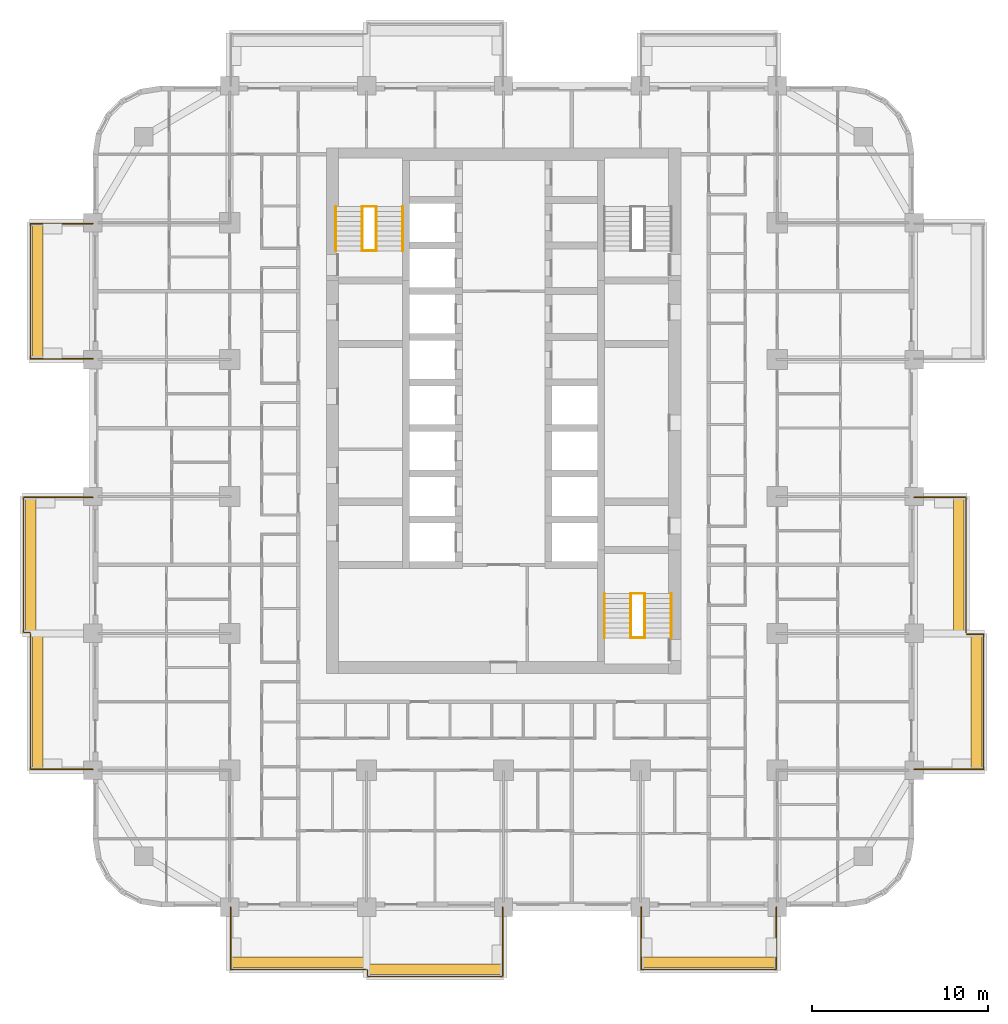
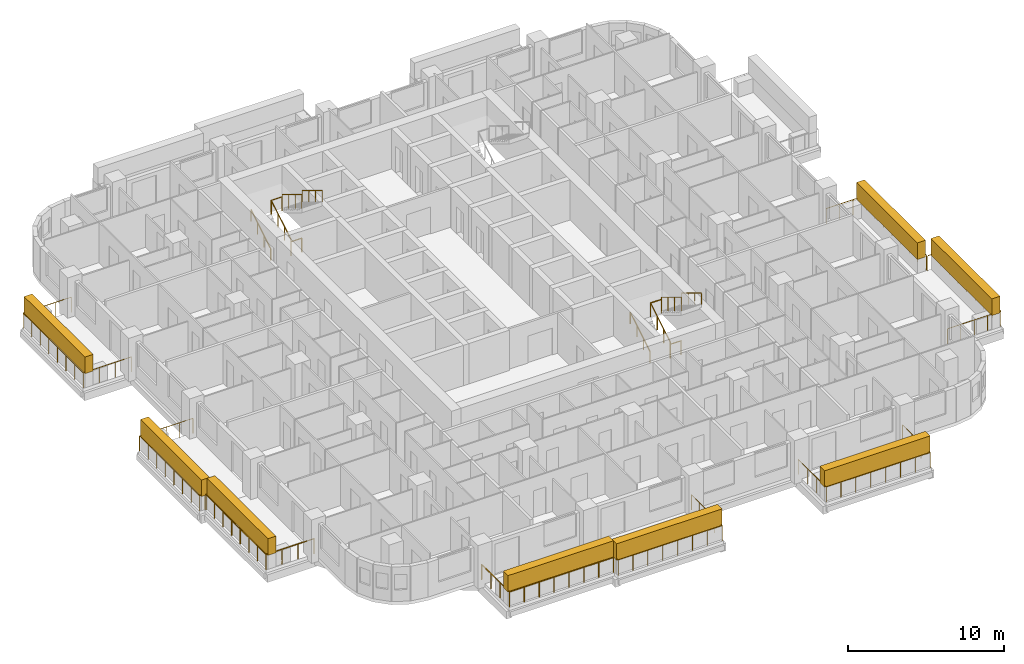
# One storey, part 16 of 17: 20 railings, 8 coverings, 2 elements without a shape of their own.
"""IFC4 building model written with IfcOpenShell, lengths in metres."""

from ifc_helpers import new_model, si_unit, direction, frame, origin, origin_2d, place, context, subcontext, project, spatial, rectangle, circle, extrude, material, layer, layer_set, type_object, element, aggregate, save


model = new_model("IFC4")

# Units and contexts
model_context = context("Model", 3, precision=1e-05, world=origin(), true_north=direction((0.0, 1.0)))
body_context = subcontext(model_context, "Body", "Model", "MODEL_VIEW")
ifc_project = project(units=[si_unit("LENGTHUNIT", "METRE"), si_unit("AREAUNIT", "SQUARE_METRE"), si_unit("VOLUMEUNIT", "CUBIC_METRE"), si_unit("PLANEANGLEUNIT", "RADIAN"), si_unit("MASSUNIT", "GRAM", prefix="KILO")], contexts=[model_context])

# Site, building, storey
site_placement = place(None, origin())
site = spatial("IfcSite", under=ifc_project, at=site_placement, CompositionType="ELEMENT")
building_placement = place(site_placement, origin())
building = spatial("IfcBuilding", under=site, at=building_placement, Name="Ludao Terraces", CompositionType="ELEMENT")
storey_placement = place(building_placement, frame((0.0, 0.0, 19.5)))
storey = spatial("IfcBuildingStorey", under=building, at=storey_placement, Name="L04", CompositionType="ELEMENT", Elevation=19.5)

# Railings
ifc_material_1 = material(Name="Stainless steel 304", Category="steel")
railing_type_1 = type_object("IfcRailingType", Name="ENV Balcony glass guard 1200", PredefinedType="GUARDRAIL", material=ifc_material_1)
railing_1_placement = place(storey_placement, frame((69.449951171875, 41.60009765625, 0.0)))
element("IfcRailing", 1, at=railing_1_placement, inside=storey, type_object=railing_type_1, Name="Balcony guard L04 S1", PredefinedType="GUARDRAIL", context=body_context, shape_type="SweptSolid", body=[
    extrude(circle(Radius=0.02392578125, at=origin_2d()), frame((0.0, 0.0, 1.17578125), z_axis=(0.0, -1.0, 0.0), x_axis=(1.0, 0.0, 0.0)), (0.0, 0.0, 1.0), 3.550048828125),
    extrude(circle(Radius=0.02392578125, at=origin_2d()), frame((0.0, -3.550048828125, 1.17578125), z_axis=(1.0, 0.0, 0.0), x_axis=(0.0, 1.0, 0.0)), (0.0, 0.0, 1.0), 7.699951171875),
    extrude(circle(Radius=0.02099609375, at=origin_2d()), origin(), (0.0, 0.0, 1.0), 1.15185546875),
    extrude(circle(Radius=0.02099609375, at=origin_2d()), frame((0.0, -1.183349609375, 0.0)), (0.0, 0.0, 1.0), 1.15185546875),
    extrude(circle(Radius=0.02099609375, at=origin_2d()), frame((0.0, -2.36669921875, 0.0)), (0.0, 0.0, 1.0), 1.15185546875),
    extrude(circle(Radius=0.02099609375, at=origin_2d()), frame((0.0, -3.550048828125, 0.0)), (0.0, 0.0, 1.0), 1.15185546875),
    extrude(circle(Radius=0.02099609375, at=origin_2d()), frame((1.10009765625, -3.550048828125, 0.0)), (0.0, 0.0, 1.0), 1.15185546875),
    extrude(circle(Radius=0.02099609375, at=origin_2d()), frame((2.199951171875, -3.550048828125, 0.0)), (0.0, 0.0, 1.0), 1.15185546875),
    extrude(circle(Radius=0.02099609375, at=origin_2d()), frame((3.300048828125, -3.550048828125, 0.0)), (0.0, 0.0, 1.0), 1.15185546875),
    extrude(circle(Radius=0.02099609375, at=origin_2d()), frame((4.39990234375, -3.550048828125, 0.0)), (0.0, 0.0, 1.0), 1.15185546875),
    extrude(circle(Radius=0.02099609375, at=origin_2d()), frame((5.5, -3.550048828125, 0.0)), (0.0, 0.0, 1.0), 1.15185546875),
    extrude(circle(Radius=0.02099609375, at=origin_2d()), frame((6.599853515625, -3.550048828125, 0.0)), (0.0, 0.0, 1.0), 1.15185546875),
    extrude(circle(Radius=0.02099609375, at=origin_2d()), frame((7.699951171875, -3.550048828125, 0.0)), (0.0, 0.0, 1.0), 1.15185546875),
])
railing_2_placement = place(storey_placement, frame((77.25, 38.0, 0.0)))
element("IfcRailing", 2, at=railing_2_placement, inside=storey, type_object=railing_type_1, Name="Balcony guard L04 S2", PredefinedType="GUARDRAIL", context=body_context, shape_type="SweptSolid", body=[
    extrude(circle(Radius=0.02392578125, at=origin_2d()), frame((0.0, 0.0, 1.17578125), z_axis=(0.0, -1.0, 0.0), x_axis=(1.0, 0.0, 0.0)), (0.0, 0.0, 1.0), 0.35009765625),
    extrude(circle(Radius=0.02392578125, at=origin_2d()), frame((0.0, -0.35009765625, 1.17578125), z_axis=(1.0, 0.0, 0.0), x_axis=(0.0, 1.0, 0.0)), (0.0, 0.0, 1.0), 7.699951171875),
    extrude(circle(Radius=0.02392578125, at=origin_2d()), frame((7.699951171875, -0.35009765625, 1.17578125), z_axis=(0.0, 1.0, 0.0), x_axis=(-1.0, 0.0, 0.0)), (0.0, 0.0, 1.0), 3.9501953125),
    extrude(circle(Radius=0.02099609375, at=origin_2d()), origin(), (0.0, 0.0, 1.0), 1.15185546875),
    extrude(circle(Radius=0.02099609375, at=origin_2d()), frame((0.0, -0.35009765625, 0.0)), (0.0, 0.0, 1.0), 1.15185546875),
    extrude(circle(Radius=0.02099609375, at=origin_2d()), frame((1.10009765625, -0.35009765625, 0.0)), (0.0, 0.0, 1.0), 1.15185546875),
    extrude(circle(Radius=0.02099609375, at=origin_2d()), frame((2.199951171875, -0.35009765625, 0.0)), (0.0, 0.0, 1.0), 1.15185546875),
    extrude(circle(Radius=0.02099609375, at=origin_2d()), frame((3.300048828125, -0.35009765625, 0.0)), (0.0, 0.0, 1.0), 1.15185546875),
    extrude(circle(Radius=0.02099609375, at=origin_2d()), frame((4.39990234375, -0.35009765625, 0.0)), (0.0, 0.0, 1.0), 1.15185546875),
    extrude(circle(Radius=0.02099609375, at=origin_2d()), frame((5.5, -0.35009765625, 0.0)), (0.0, 0.0, 1.0), 1.15185546875),
    extrude(circle(Radius=0.02099609375, at=origin_2d()), frame((6.599853515625, -0.35009765625, 0.0)), (0.0, 0.0, 1.0), 1.15185546875),
    extrude(circle(Radius=0.02099609375, at=origin_2d()), frame((7.699951171875, -0.35009765625, 0.0)), (0.0, 0.0, 1.0), 1.15185546875),
    extrude(circle(Radius=0.02099609375, at=origin_2d()), frame((7.699951171875, 0.637451171875, 0.0)), (0.0, 0.0, 1.0), 1.15185546875),
    extrude(circle(Radius=0.02099609375, at=origin_2d()), frame((7.699951171875, 1.625, 0.0)), (0.0, 0.0, 1.0), 1.15185546875),
    extrude(circle(Radius=0.02099609375, at=origin_2d()), frame((7.699951171875, 2.612548828125, 0.0)), (0.0, 0.0, 1.0), 1.15185546875),
    extrude(circle(Radius=0.02099609375, at=origin_2d()), frame((7.699951171875, 3.60009765625, 0.0)), (0.0, 0.0, 1.0), 1.15185546875),
])
railing_3_placement = place(storey_placement, frame((92.85009765625, 41.60009765625, 0.0)))
element("IfcRailing", 3, at=railing_3_placement, inside=storey, type_object=railing_type_1, Name="Balcony guard L04 S4", PredefinedType="GUARDRAIL", context=body_context, shape_type="SweptSolid", body=[
    extrude(circle(Radius=0.02392578125, at=origin_2d()), frame((0.0, 0.0, 1.17578125), z_axis=(0.0, -1.0, 0.0), x_axis=(1.0, 0.0, 0.0)), (0.0, 0.0, 1.0), 3.550048828125),
    extrude(circle(Radius=0.02392578125, at=origin_2d()), frame((0.0, -3.550048828125, 1.17578125), z_axis=(1.0, 0.0, 0.0), x_axis=(0.0, 1.0, 0.0)), (0.0, 0.0, 1.0), 7.699951171875),
    extrude(circle(Radius=0.02392578125, at=origin_2d()), frame((7.699951171875, -3.550048828125, 1.17578125), z_axis=(0.0, 1.0, 0.0), x_axis=(-1.0, 0.0, 0.0)), (0.0, 0.0, 1.0), 3.550048828125),
    extrude(circle(Radius=0.02099609375, at=origin_2d()), origin(), (0.0, 0.0, 1.0), 1.15185546875),
    extrude(circle(Radius=0.02099609375, at=origin_2d()), frame((0.0, -1.183349609375, 0.0)), (0.0, 0.0, 1.0), 1.15185546875),
    extrude(circle(Radius=0.02099609375, at=origin_2d()), frame((0.0, -2.36669921875, 0.0)), (0.0, 0.0, 1.0), 1.15185546875),
    extrude(circle(Radius=0.02099609375, at=origin_2d()), frame((0.0, -3.550048828125, 0.0)), (0.0, 0.0, 1.0), 1.15185546875),
    extrude(circle(Radius=0.02099609375, at=origin_2d()), frame((1.10009765625, -3.550048828125, 0.0)), (0.0, 0.0, 1.0), 1.15185546875),
    extrude(circle(Radius=0.02099609375, at=origin_2d()), frame((2.199951171875, -3.550048828125, 0.0)), (0.0, 0.0, 1.0), 1.15185546875),
    extrude(circle(Radius=0.02099609375, at=origin_2d()), frame((3.300048828125, -3.550048828125, 0.0)), (0.0, 0.0, 1.0), 1.15185546875),
    extrude(circle(Radius=0.02099609375, at=origin_2d()), frame((4.39990234375, -3.550048828125, 0.0)), (0.0, 0.0, 1.0), 1.15185546875),
    extrude(circle(Radius=0.02099609375, at=origin_2d()), frame((5.5, -3.550048828125, 0.0)), (0.0, 0.0, 1.0), 1.15185546875),
    extrude(circle(Radius=0.02099609375, at=origin_2d()), frame((6.599853515625, -3.550048828125, 0.0)), (0.0, 0.0, 1.0), 1.15185546875),
    extrude(circle(Radius=0.02099609375, at=origin_2d()), frame((7.699951171875, -3.550048828125, 0.0)), (0.0, 0.0, 1.0), 1.15185546875),
    extrude(circle(Radius=0.02099609375, at=origin_2d()), frame((7.699951171875, -2.36669921875, 0.0)), (0.0, 0.0, 1.0), 1.15185546875),
    extrude(circle(Radius=0.02099609375, at=origin_2d()), frame((7.699951171875, -1.183349609375, 0.0)), (0.0, 0.0, 1.0), 1.15185546875),
    extrude(circle(Radius=0.02099609375, at=origin_2d()), frame((7.699951171875, 0.0, 0.0)), (0.0, 0.0, 1.0), 1.15185546875),
])
railing_4_placement = place(storey_placement, frame((108.39990234375, 49.449951171875, 0.0)))
element("IfcRailing", 4, at=railing_4_placement, inside=storey, type_object=railing_type_1, Name="Balcony guard L04 E1", PredefinedType="GUARDRAIL", context=body_context, shape_type="SweptSolid", body=[
    extrude(circle(Radius=0.02392578125, at=origin_2d()), frame((0.0, 0.0, 1.17578125), z_axis=(1.0, 0.0, 0.0), x_axis=(0.0, 1.0, 0.0)), (0.0, 0.0, 1.0), 3.9501953125),
    extrude(circle(Radius=0.02392578125, at=origin_2d()), frame((3.9501953125, 0.0, 1.17578125), z_axis=(0.0, 1.0, 0.0), x_axis=(-1.0, 0.0, 0.0)), (0.0, 0.0, 1.0), 7.699951171875),
    extrude(circle(Radius=0.02392578125, at=origin_2d()), frame((3.9501953125, 7.699951171875, 1.17578125), z_axis=(-1.0, 0.0, 0.0), x_axis=(0.0, -1.0, 0.0)), (0.0, 0.0, 1.0), 0.9501953125),
    extrude(circle(Radius=0.02099609375, at=origin_2d()), origin(), (0.0, 0.0, 1.0), 1.15185546875),
    extrude(circle(Radius=0.02099609375, at=origin_2d()), frame((0.987548828125, 0.0, 0.0)), (0.0, 0.0, 1.0), 1.15185546875),
    extrude(circle(Radius=0.02099609375, at=origin_2d()), frame((1.97509765625, 0.0, 0.0)), (0.0, 0.0, 1.0), 1.15185546875),
    extrude(circle(Radius=0.02099609375, at=origin_2d()), frame((2.962646484375, 0.0, 0.0)), (0.0, 0.0, 1.0), 1.15185546875),
    extrude(circle(Radius=0.02099609375, at=origin_2d()), frame((3.9501953125, 0.0, 0.0)), (0.0, 0.0, 1.0), 1.15185546875),
    extrude(circle(Radius=0.02099609375, at=origin_2d()), frame((3.9501953125, 1.10009765625, 0.0)), (0.0, 0.0, 1.0), 1.15185546875),
    extrude(circle(Radius=0.02099609375, at=origin_2d()), frame((3.9501953125, 2.199951171875, 0.0)), (0.0, 0.0, 1.0), 1.15185546875),
    extrude(circle(Radius=0.02099609375, at=origin_2d()), frame((3.9501953125, 3.300048828125, 0.0)), (0.0, 0.0, 1.0), 1.15185546875),
    extrude(circle(Radius=0.02099609375, at=origin_2d()), frame((3.9501953125, 4.39990234375, 0.0)), (0.0, 0.0, 1.0), 1.15185546875),
    extrude(circle(Radius=0.02099609375, at=origin_2d()), frame((3.9501953125, 5.5, 0.0)), (0.0, 0.0, 1.0), 1.15185546875),
    extrude(circle(Radius=0.02099609375, at=origin_2d()), frame((3.9501953125, 6.599853515625, 0.0)), (0.0, 0.0, 1.0), 1.15185546875),
    extrude(circle(Radius=0.02099609375, at=origin_2d()), frame((3.9501953125, 7.699951171875, 0.0)), (0.0, 0.0, 1.0), 1.15185546875),
    extrude(circle(Radius=0.02099609375, at=origin_2d()), frame((3.0, 7.699951171875, 0.0)), (0.0, 0.0, 1.0), 1.15185546875),
])
railing_5_placement = place(storey_placement, frame((111.35009765625, 57.25, 0.0)))
element("IfcRailing", 5, at=railing_5_placement, inside=storey, type_object=railing_type_1, Name="Balcony guard L04 E2", PredefinedType="GUARDRAIL", context=body_context, shape_type="SweptSolid", body=[
    extrude(circle(Radius=0.02392578125, at=origin_2d()), frame((0.0, 0.0, 1.17578125), z_axis=(0.0, 1.0, 0.0), x_axis=(-1.0, 0.0, 0.0)), (0.0, 0.0, 1.0), 7.699951171875),
    extrude(circle(Radius=0.02392578125, at=origin_2d()), frame((0.0, 7.699951171875, 1.17578125), z_axis=(-1.0, 0.0, 0.0), x_axis=(0.0, -1.0, 0.0)), (0.0, 0.0, 1.0), 2.9501953125),
    extrude(circle(Radius=0.02099609375, at=origin_2d()), origin(), (0.0, 0.0, 1.0), 1.15185546875),
    extrude(circle(Radius=0.02099609375, at=origin_2d()), frame((0.0, 1.10009765625, 0.0)), (0.0, 0.0, 1.0), 1.15185546875),
    extrude(circle(Radius=0.02099609375, at=origin_2d()), frame((0.0, 2.199951171875, 0.0)), (0.0, 0.0, 1.0), 1.15185546875),
    extrude(circle(Radius=0.02099609375, at=origin_2d()), frame((0.0, 3.300048828125, 0.0)), (0.0, 0.0, 1.0), 1.15185546875),
    extrude(circle(Radius=0.02099609375, at=origin_2d()), frame((0.0, 4.39990234375, 0.0)), (0.0, 0.0, 1.0), 1.15185546875),
    extrude(circle(Radius=0.02099609375, at=origin_2d()), frame((0.0, 5.5, 0.0)), (0.0, 0.0, 1.0), 1.15185546875),
    extrude(circle(Radius=0.02099609375, at=origin_2d()), frame((0.0, 6.599853515625, 0.0)), (0.0, 0.0, 1.0), 1.15185546875),
    extrude(circle(Radius=0.02099609375, at=origin_2d()), frame((0.0, 7.699951171875, 0.0)), (0.0, 0.0, 1.0), 1.15185546875),
    extrude(circle(Radius=0.02099609375, at=origin_2d()), frame((-0.9833984375, 7.699951171875, 0.0)), (0.0, 0.0, 1.0), 1.15185546875),
    extrude(circle(Radius=0.02099609375, at=origin_2d()), frame((-1.966796875, 7.699951171875, 0.0)), (0.0, 0.0, 1.0), 1.15185546875),
    extrude(circle(Radius=0.02099609375, at=origin_2d()), frame((-2.9501953125, 7.699951171875, 0.0)), (0.0, 0.0, 1.0), 1.15185546875),
])
railing_6_placement = place(storey_placement, frame((61.60009765625, 49.449951171875, 0.0)))
element("IfcRailing", 6, at=railing_6_placement, inside=storey, type_object=railing_type_1, Name="Balcony guard L04 W1", PredefinedType="GUARDRAIL", context=body_context, shape_type="SweptSolid", body=[
    extrude(circle(Radius=0.02392578125, at=origin_2d()), frame((0.0, 0.0, 1.17578125), z_axis=(-1.0, 0.0, 0.0), x_axis=(0.0, -1.0, 0.0)), (0.0, 0.0, 1.0), 3.550048828125),
    extrude(circle(Radius=0.02392578125, at=origin_2d()), frame((-3.550048828125, 0.0, 1.17578125), z_axis=(0.0, 1.0, 0.0), x_axis=(-1.0, 0.0, 0.0)), (0.0, 0.0, 1.0), 7.699951171875),
    extrude(circle(Radius=0.02099609375, at=origin_2d()), origin(), (0.0, 0.0, 1.0), 1.15185546875),
    extrude(circle(Radius=0.02099609375, at=origin_2d()), frame((-1.183349609375, 0.0, 0.0)), (0.0, 0.0, 1.0), 1.15185546875),
    extrude(circle(Radius=0.02099609375, at=origin_2d()), frame((-2.36669921875, 0.0, 0.0)), (0.0, 0.0, 1.0), 1.15185546875),
    extrude(circle(Radius=0.02099609375, at=origin_2d()), frame((-3.550048828125, 0.0, 0.0)), (0.0, 0.0, 1.0), 1.15185546875),
    extrude(circle(Radius=0.02099609375, at=origin_2d()), frame((-3.550048828125, 1.10009765625, 0.0)), (0.0, 0.0, 1.0), 1.15185546875),
    extrude(circle(Radius=0.02099609375, at=origin_2d()), frame((-3.550048828125, 2.199951171875, 0.0)), (0.0, 0.0, 1.0), 1.15185546875),
    extrude(circle(Radius=0.02099609375, at=origin_2d()), frame((-3.550048828125, 3.300048828125, 0.0)), (0.0, 0.0, 1.0), 1.15185546875),
    extrude(circle(Radius=0.02099609375, at=origin_2d()), frame((-3.550048828125, 4.39990234375, 0.0)), (0.0, 0.0, 1.0), 1.15185546875),
    extrude(circle(Radius=0.02099609375, at=origin_2d()), frame((-3.550048828125, 5.5, 0.0)), (0.0, 0.0, 1.0), 1.15185546875),
    extrude(circle(Radius=0.02099609375, at=origin_2d()), frame((-3.550048828125, 6.599853515625, 0.0)), (0.0, 0.0, 1.0), 1.15185546875),
    extrude(circle(Radius=0.02099609375, at=origin_2d()), frame((-3.550048828125, 7.699951171875, 0.0)), (0.0, 0.0, 1.0), 1.15185546875),
])
railing_7_placement = place(storey_placement, frame((58.0, 57.25, 0.0)))
element("IfcRailing", 7, at=railing_7_placement, inside=storey, type_object=railing_type_1, Name="Balcony guard L04 W2", PredefinedType="GUARDRAIL", context=body_context, shape_type="SweptSolid", body=[
    extrude(circle(Radius=0.02392578125, at=origin_2d()), frame((0.0, 0.0, 1.17578125), z_axis=(-1.0, 0.0, 0.0), x_axis=(0.0, -1.0, 0.0)), (0.0, 0.0, 1.0), 0.35009765625),
    extrude(circle(Radius=0.02392578125, at=origin_2d()), frame((-0.35009765625, 0.0, 1.17578125), z_axis=(0.0, 1.0, 0.0), x_axis=(-1.0, 0.0, 0.0)), (0.0, 0.0, 1.0), 7.699951171875),
    extrude(circle(Radius=0.02392578125, at=origin_2d()), frame((-0.35009765625, 7.699951171875, 1.17578125), z_axis=(1.0, 0.0, 0.0), x_axis=(0.0, 1.0, 0.0)), (0.0, 0.0, 1.0), 3.9501953125),
    extrude(circle(Radius=0.02099609375, at=origin_2d()), origin(), (0.0, 0.0, 1.0), 1.15185546875),
    extrude(circle(Radius=0.02099609375, at=origin_2d()), frame((-0.35009765625, 0.0, 0.0)), (0.0, 0.0, 1.0), 1.15185546875),
    extrude(circle(Radius=0.02099609375, at=origin_2d()), frame((-0.35009765625, 1.10009765625, 0.0)), (0.0, 0.0, 1.0), 1.15185546875),
    extrude(circle(Radius=0.02099609375, at=origin_2d()), frame((-0.35009765625, 2.199951171875, 0.0)), (0.0, 0.0, 1.0), 1.15185546875),
    extrude(circle(Radius=0.02099609375, at=origin_2d()), frame((-0.35009765625, 3.300048828125, 0.0)), (0.0, 0.0, 1.0), 1.15185546875),
    extrude(circle(Radius=0.02099609375, at=origin_2d()), frame((-0.35009765625, 4.39990234375, 0.0)), (0.0, 0.0, 1.0), 1.15185546875),
    extrude(circle(Radius=0.02099609375, at=origin_2d()), frame((-0.35009765625, 5.5, 0.0)), (0.0, 0.0, 1.0), 1.15185546875),
    extrude(circle(Radius=0.02099609375, at=origin_2d()), frame((-0.35009765625, 6.599853515625, 0.0)), (0.0, 0.0, 1.0), 1.15185546875),
    extrude(circle(Radius=0.02099609375, at=origin_2d()), frame((-0.35009765625, 7.699951171875, 0.0)), (0.0, 0.0, 1.0), 1.15185546875),
    extrude(circle(Radius=0.02099609375, at=origin_2d()), frame((0.637451171875, 7.699951171875, 0.0)), (0.0, 0.0, 1.0), 1.15185546875),
    extrude(circle(Radius=0.02099609375, at=origin_2d()), frame((1.625, 7.699951171875, 0.0)), (0.0, 0.0, 1.0), 1.15185546875),
    extrude(circle(Radius=0.02099609375, at=origin_2d()), frame((2.612548828125, 7.699951171875, 0.0)), (0.0, 0.0, 1.0), 1.15185546875),
    extrude(circle(Radius=0.02099609375, at=origin_2d()), frame((3.60009765625, 7.699951171875, 0.0)), (0.0, 0.0, 1.0), 1.15185546875),
])
railing_8_placement = place(storey_placement, frame((61.60009765625, 72.85009765625, 0.0)))
element("IfcRailing", 8, at=railing_8_placement, inside=storey, type_object=railing_type_1, Name="Balcony guard L04 W4", PredefinedType="GUARDRAIL", context=body_context, shape_type="SweptSolid", body=[
    extrude(circle(Radius=0.02392578125, at=origin_2d()), frame((0.0, 0.0, 1.17578125), z_axis=(-1.0, 0.0, 0.0), x_axis=(0.0, -1.0, 0.0)), (0.0, 0.0, 1.0), 3.550048828125),
    extrude(circle(Radius=0.02392578125, at=origin_2d()), frame((-3.550048828125, 0.0, 1.17578125), z_axis=(0.0, 1.0, 0.0), x_axis=(-1.0, 0.0, 0.0)), (0.0, 0.0, 1.0), 7.699951171875),
    extrude(circle(Radius=0.02392578125, at=origin_2d()), frame((-3.550048828125, 7.699951171875, 1.17578125), z_axis=(1.0, 0.0, 0.0), x_axis=(0.0, 1.0, 0.0)), (0.0, 0.0, 1.0), 3.550048828125),
    extrude(circle(Radius=0.02099609375, at=origin_2d()), origin(), (0.0, 0.0, 1.0), 1.15185546875),
    extrude(circle(Radius=0.02099609375, at=origin_2d()), frame((-1.183349609375, 0.0, 0.0)), (0.0, 0.0, 1.0), 1.15185546875),
    extrude(circle(Radius=0.02099609375, at=origin_2d()), frame((-2.36669921875, 0.0, 0.0)), (0.0, 0.0, 1.0), 1.15185546875),
    extrude(circle(Radius=0.02099609375, at=origin_2d()), frame((-3.550048828125, 0.0, 0.0)), (0.0, 0.0, 1.0), 1.15185546875),
    extrude(circle(Radius=0.02099609375, at=origin_2d()), frame((-3.550048828125, 1.10009765625, 0.0)), (0.0, 0.0, 1.0), 1.15185546875),
    extrude(circle(Radius=0.02099609375, at=origin_2d()), frame((-3.550048828125, 2.199951171875, 0.0)), (0.0, 0.0, 1.0), 1.15185546875),
    extrude(circle(Radius=0.02099609375, at=origin_2d()), frame((-3.550048828125, 3.300048828125, 0.0)), (0.0, 0.0, 1.0), 1.15185546875),
    extrude(circle(Radius=0.02099609375, at=origin_2d()), frame((-3.550048828125, 4.39990234375, 0.0)), (0.0, 0.0, 1.0), 1.15185546875),
    extrude(circle(Radius=0.02099609375, at=origin_2d()), frame((-3.550048828125, 5.5, 0.0)), (0.0, 0.0, 1.0), 1.15185546875),
    extrude(circle(Radius=0.02099609375, at=origin_2d()), frame((-3.550048828125, 6.599853515625, 0.0)), (0.0, 0.0, 1.0), 1.15185546875),
    extrude(circle(Radius=0.02099609375, at=origin_2d()), frame((-3.550048828125, 7.699951171875, 0.0)), (0.0, 0.0, 1.0), 1.15185546875),
    extrude(circle(Radius=0.02099609375, at=origin_2d()), frame((-2.36669921875, 7.699951171875, 0.0)), (0.0, 0.0, 1.0), 1.15185546875),
    extrude(circle(Radius=0.02099609375, at=origin_2d()), frame((-1.183349609375, 7.699951171875, 0.0)), (0.0, 0.0, 1.0), 1.15185546875),
    extrude(circle(Radius=0.02099609375, at=origin_2d()), frame((0.0, 7.699951171875, 0.0)), (0.0, 0.0, 1.0), 1.15185546875),
])

# Coverings
ifc_material_2 = material(Name="Planting")
ifc_layer = layer(ifc_material_2, 0.60009765625)
ifc_layer_set = layer_set([ifc_layer], Name="ENV Planting hedge 600x1300")
covering_type = type_object("IfcCoveringType", Name="ENV Planting hedge 600x1300", PredefinedType="USERDEFINED", material=ifc_layer_set)
for number, where, z_axis, x_axis, name in (
    (9, (73.300048828125, 38.449951171875, 1.10009765625), (0.0, 0.0, 1.0), (1.0, 0.0, 0.0), "Planting hedge L04-S1"),
    (10, (81.10009765625, 38.050048828125, 1.10009765625), (0.0, 0.0, 1.0), (1.0, 0.0, 0.0), "Planting hedge L04-S2"),
    (11, (96.699951171875, 38.449951171875, 1.10009765625), (0.0, 0.0, 1.0), (1.0, 0.0, 0.0), "Planting hedge L04-S4"),
):
    element("IfcCovering", number, at=place(storey_placement, frame(where, z_axis=z_axis, x_axis=x_axis)), inside=storey, type_object=covering_type, Name=name, ObjectType="PLANTING", PredefinedType="USERDEFINED", context=body_context, shape_type="SweptSolid", body=[
        extrude(rectangle(XDim=7.800048828125, YDim=0.60009765625, at=origin_2d()), origin(), (0.0, 0.0, 1.0), 1.300048828125),
    ])
for number, where, z_axis, x_axis, name in (
    (12, (111.949951171875, 53.300048828125, 1.10009765625), (0.0, 0.0, 1.0), (1.0, 0.0, 0.0), "Planting hedge L04-E1"),
    (13, (110.949951171875, 61.10009765625, 1.10009765625), (0.0, 0.0, 1.0), (1.0, 0.0, 0.0), "Planting hedge L04-E2"),
    (14, (58.449951171875, 53.300048828125, 1.10009765625), (0.0, 0.0, 1.0), (1.0, 0.0, 0.0), "Planting hedge L04-W1"),
    (15, (58.050048828125, 61.10009765625, 1.10009765625), (0.0, 0.0, 1.0), (1.0, 0.0, 0.0), "Planting hedge L04-W2"),
    (16, (58.449951171875, 76.699951171875, 1.10009765625), (0.0, 0.0, 1.0), (1.0, 0.0, 0.0), "Planting hedge L04-W4"),
):
    element("IfcCovering", number, at=place(storey_placement, frame(where, z_axis=z_axis, x_axis=x_axis)), inside=storey, type_object=covering_type, Name=name, ObjectType="PLANTING", PredefinedType="USERDEFINED", context=body_context, shape_type="SweptSolid", body=[
        extrude(rectangle(XDim=0.60009765625, YDim=7.800048828125, at=origin_2d()), origin(), (0.0, 0.0, 1.0), 1.300048828125),
    ])

# Stair, railings
ifc_material_3 = material(Name="Concrete C40", Category="concrete")
stair_type = type_object("IfcStairType", Name="INT Stair", PredefinedType="HALF_TURN_STAIR", material=ifc_material_3)
stair_1_placement = place(storey_placement, origin())
stair_1 = element("IfcStair", 17, at=stair_1_placement, inside=storey, type_object=stair_type, Name="EXIT STAIR 1", PredefinedType="HALF_TURN_STAIR")
railing_type_2 = type_object("IfcRailingType", Name="INT Stair guard 1100", PredefinedType="GUARDRAIL", material=ifc_material_1)
railing_9_placement = place(storey_placement, frame((76.949951171875, 79.0, 0.169921875)))
railing_9 = element("IfcRailing", 18, at=railing_9_placement, type_object=railing_type_2, Name="ST-L04-S1-R1G", PredefinedType="GUARDRAIL", context=body_context, shape_type="SweptSolid", body=[
    extrude(circle(Radius=0.02392578125, at=origin_2d()), frame((0.0, 0.0, 1.076171875), z_axis=(0.0, 0.85478489116, 0.518982456201), x_axis=(-1.0, 0.0, 0.0)), (0.0, 0.0, 1.0), 2.9482421875),
    extrude(circle(Radius=0.02099609375, at=origin_2d()), origin(), (0.0, 0.0, 1.0), 1.052001953125),
    extrude(circle(Radius=0.02099609375, at=origin_2d()), frame((0.0, 0.840087890625, 0.510009765625)), (0.0, 0.0, 1.0), 1.052001953125),
    extrude(circle(Radius=0.02099609375, at=origin_2d()), frame((0.0, 1.679931640625, 1.02001953125)), (0.0, 0.0, 1.0), 1.052001953125),
    extrude(circle(Radius=0.02099609375, at=origin_2d()), frame((0.0, 2.52001953125, 1.530029296875)), (0.0, 0.0, 1.0), 1.052001953125),
])
railing_10_placement = place(storey_placement, frame((77.75, 81.52001953125, 1.8701171875)))
railing_10 = element("IfcRailing", 19, at=railing_10_placement, type_object=railing_type_2, Name="ST-L04-S1-R2G", PredefinedType="GUARDRAIL", context=body_context, shape_type="SweptSolid", body=[
    extrude(circle(Radius=0.02392578125, at=origin_2d()), frame((0.0, 0.0, 1.076171875), z_axis=(0.0, -0.854821627497, 0.518921945155), x_axis=(1.0, 0.0, 0.0)), (0.0, 0.0, 1.0), 2.947998046875),
    extrude(circle(Radius=0.02099609375, at=origin_2d()), origin(), (0.0, 0.0, 1.0), 1.052001953125),
    extrude(circle(Radius=0.02099609375, at=origin_2d()), frame((0.0, -0.840087890625, 0.510009765625)), (0.0, 0.0, 1.0), 1.052001953125),
    extrude(circle(Radius=0.02099609375, at=origin_2d()), frame((0.0, -1.679931640625, 1.019775390625)), (0.0, 0.0, 1.0), 1.052001953125),
    extrude(circle(Radius=0.02099609375, at=origin_2d()), frame((0.0, -2.52001953125, 1.52978515625)), (0.0, 0.0, 1.0), 1.052001953125),
])
railing_11_placement = place(storey_placement, frame((76.949951171875, 81.52001953125, 1.699951171875)))
railing_11 = element("IfcRailing", 20, at=railing_11_placement, type_object=railing_type_2, Name="ST-L04-S1-E1G", PredefinedType="GUARDRAIL", context=body_context, shape_type="SweptSolid", body=[
    extrude(circle(Radius=0.02392578125, at=origin_2d()), frame((0.0, 0.0, 1.076171875), z_axis=(1.0, 0.0, 0.0), x_axis=(0.0, 1.0, 0.0)), (0.0, 0.0, 1.0), 0.800048828125),
    extrude(circle(Radius=0.02099609375, at=origin_2d()), origin(), (0.0, 0.0, 1.0), 1.052001953125),
    extrude(circle(Radius=0.02099609375, at=origin_2d()), frame((0.800048828125, 0.0, 0.0)), (0.0, 0.0, 1.0), 1.052001953125),
])
railing_12_placement = place(storey_placement, frame((76.949951171875, 79.0, 0.0)))
railing_12 = element("IfcRailing", 21, at=railing_12_placement, type_object=railing_type_2, Name="ST-L04-S1-E2G", PredefinedType="GUARDRAIL", context=body_context, shape_type="SweptSolid", body=[
    extrude(circle(Radius=0.02392578125, at=origin_2d()), frame((0.0, 0.0, 1.076171875), z_axis=(1.0, 0.0, 0.0), x_axis=(0.0, 1.0, 0.0)), (0.0, 0.0, 1.0), 0.800048828125),
    extrude(circle(Radius=0.02099609375, at=origin_2d()), origin(), (0.0, 0.0, 1.0), 1.052001953125),
    extrude(circle(Radius=0.02099609375, at=origin_2d()), frame((0.800048828125, 0.0, 0.0)), (0.0, 0.0, 1.0), 1.052001953125),
])

stair_2_placement = place(storey_placement, origin())
stair_2 = element("IfcStair", 22, at=stair_2_placement, inside=storey, type_object=stair_type, Name="EXIT STAIR 3", PredefinedType="HALF_TURN_STAIR")
railing_13_placement = place(storey_placement, frame((92.25, 56.949951171875, 0.169921875)))
railing_13 = element("IfcRailing", 23, at=railing_13_placement, type_object=railing_type_2, Name="ST-L04-S3-R1G", PredefinedType="GUARDRAIL", context=body_context, shape_type="SweptSolid", body=[
    extrude(circle(Radius=0.02392578125, at=origin_2d()), frame((0.0, 0.0, 1.076171875), z_axis=(0.0, 0.85478489116, 0.518982456201), x_axis=(-1.0, 0.0, 0.0)), (0.0, 0.0, 1.0), 2.9482421875),
    extrude(circle(Radius=0.02099609375, at=origin_2d()), origin(), (0.0, 0.0, 1.0), 1.052001953125),
    extrude(circle(Radius=0.02099609375, at=origin_2d()), frame((0.0, 0.840087890625, 0.510009765625)), (0.0, 0.0, 1.0), 1.052001953125),
    extrude(circle(Radius=0.02099609375, at=origin_2d()), frame((0.0, 1.679931640625, 1.02001953125)), (0.0, 0.0, 1.0), 1.052001953125),
    extrude(circle(Radius=0.02099609375, at=origin_2d()), frame((0.0, 2.52001953125, 1.530029296875)), (0.0, 0.0, 1.0), 1.052001953125),
])
railing_14_placement = place(storey_placement, frame((93.050048828125, 59.469970703125, 1.8701171875)))
railing_14 = element("IfcRailing", 24, at=railing_14_placement, type_object=railing_type_2, Name="ST-L04-S3-R2G", PredefinedType="GUARDRAIL", context=body_context, shape_type="SweptSolid", body=[
    extrude(circle(Radius=0.02392578125, at=origin_2d()), frame((0.0, 0.0, 1.076171875), z_axis=(0.0, -0.854821627497, 0.518921945155), x_axis=(1.0, 0.0, 0.0)), (0.0, 0.0, 1.0), 2.947998046875),
    extrude(circle(Radius=0.02099609375, at=origin_2d()), origin(), (0.0, 0.0, 1.0), 1.052001953125),
    extrude(circle(Radius=0.02099609375, at=origin_2d()), frame((0.0, -0.840087890625, 0.510009765625)), (0.0, 0.0, 1.0), 1.052001953125),
    extrude(circle(Radius=0.02099609375, at=origin_2d()), frame((0.0, -1.679931640625, 1.019775390625)), (0.0, 0.0, 1.0), 1.052001953125),
    extrude(circle(Radius=0.02099609375, at=origin_2d()), frame((0.0, -2.52001953125, 1.52978515625)), (0.0, 0.0, 1.0), 1.052001953125),
])
railing_15_placement = place(storey_placement, frame((92.25, 59.469970703125, 1.699951171875)))
railing_15 = element("IfcRailing", 25, at=railing_15_placement, type_object=railing_type_2, Name="ST-L04-S3-E1G", PredefinedType="GUARDRAIL", context=body_context, shape_type="SweptSolid", body=[
    extrude(circle(Radius=0.02392578125, at=origin_2d()), frame((0.0, 0.0, 1.076171875), z_axis=(1.0, 0.0, 0.0), x_axis=(0.0, 1.0, 0.0)), (0.0, 0.0, 1.0), 0.800048828125),
    extrude(circle(Radius=0.02099609375, at=origin_2d()), origin(), (0.0, 0.0, 1.0), 1.052001953125),
    extrude(circle(Radius=0.02099609375, at=origin_2d()), frame((0.800048828125, 0.0, 0.0)), (0.0, 0.0, 1.0), 1.052001953125),
])
railing_16_placement = place(storey_placement, frame((92.25, 56.949951171875, 0.0)))
railing_16 = element("IfcRailing", 26, at=railing_16_placement, type_object=railing_type_2, Name="ST-L04-S3-E2G", PredefinedType="GUARDRAIL", context=body_context, shape_type="SweptSolid", body=[
    extrude(circle(Radius=0.02392578125, at=origin_2d()), frame((0.0, 0.0, 1.076171875), z_axis=(1.0, 0.0, 0.0), x_axis=(0.0, 1.0, 0.0)), (0.0, 0.0, 1.0), 0.800048828125),
    extrude(circle(Radius=0.02099609375, at=origin_2d()), origin(), (0.0, 0.0, 1.0), 1.052001953125),
    extrude(circle(Radius=0.02099609375, at=origin_2d()), frame((0.800048828125, 0.0, 0.0)), (0.0, 0.0, 1.0), 1.052001953125),
])

# Railing
railing_type_3 = type_object("IfcRailingType", Name="INT Stair handrail 900", PredefinedType="HANDRAIL", material=ifc_material_1)
railing_17_placement = place(storey_placement, frame((75.449951171875, 79.0, 0.169921875)))
railing_17 = element("IfcRailing", 27, at=railing_17_placement, type_object=railing_type_3, Name="ST-L04-S1-R1H", PredefinedType="HANDRAIL", context=body_context, shape_type="SweptSolid", body=[
    extrude(circle(Radius=0.02392578125, at=origin_2d()), frame((0.0, 0.0, 0.8759765625), z_axis=(0.0, 0.85478489116, 0.518982456201), x_axis=(-1.0, 0.0, 0.0)), (0.0, 0.0, 1.0), 2.9482421875),
    extrude(circle(Radius=0.02099609375, at=origin_2d()), origin(), (0.0, 0.0, 1.0), 0.851806640625),
    extrude(circle(Radius=0.02099609375, at=origin_2d()), frame((0.0, 0.840087890625, 0.510009765625)), (0.0, 0.0, 1.0), 0.851806640625),
    extrude(circle(Radius=0.02099609375, at=origin_2d()), frame((0.0, 1.679931640625, 1.02001953125)), (0.0, 0.0, 1.0), 0.851806640625),
    extrude(circle(Radius=0.02099609375, at=origin_2d()), frame((0.0, 2.52001953125, 1.530029296875)), (0.0, 0.0, 1.0), 0.851806640625),
])

railing_18_placement = place(storey_placement, frame((79.25, 81.52001953125, 1.8701171875)))
railing_18 = element("IfcRailing", 28, at=railing_18_placement, type_object=railing_type_3, Name="ST-L04-S1-R2H", PredefinedType="HANDRAIL", context=body_context, shape_type="SweptSolid", body=[
    extrude(circle(Radius=0.02392578125, at=origin_2d()), frame((0.0, 0.0, 0.8759765625), z_axis=(0.0, -0.854821627497, 0.518921945155), x_axis=(1.0, 0.0, 0.0)), (0.0, 0.0, 1.0), 2.947998046875),
    extrude(circle(Radius=0.02099609375, at=origin_2d()), origin(), (0.0, 0.0, 1.0), 0.851806640625),
    extrude(circle(Radius=0.02099609375, at=origin_2d()), frame((0.0, -0.840087890625, 0.510009765625)), (0.0, 0.0, 1.0), 0.851806640625),
    extrude(circle(Radius=0.02099609375, at=origin_2d()), frame((0.0, -1.679931640625, 1.019775390625)), (0.0, 0.0, 1.0), 0.851806640625),
    extrude(circle(Radius=0.02099609375, at=origin_2d()), frame((0.0, -2.52001953125, 1.52978515625)), (0.0, 0.0, 1.0), 0.851806640625),
])

aggregate(stair_1, [railing_9, railing_17, railing_10, railing_18, railing_11, railing_12])

railing_19_placement = place(storey_placement, frame((90.75, 56.949951171875, 0.169921875)))
railing_19 = element("IfcRailing", 29, at=railing_19_placement, type_object=railing_type_3, Name="ST-L04-S3-R1H", PredefinedType="HANDRAIL", context=body_context, shape_type="SweptSolid", body=[
    extrude(circle(Radius=0.02392578125, at=origin_2d()), frame((0.0, 0.0, 0.8759765625), z_axis=(0.0, 0.85478489116, 0.518982456201), x_axis=(-1.0, 0.0, 0.0)), (0.0, 0.0, 1.0), 2.9482421875),
    extrude(circle(Radius=0.02099609375, at=origin_2d()), origin(), (0.0, 0.0, 1.0), 0.851806640625),
    extrude(circle(Radius=0.02099609375, at=origin_2d()), frame((0.0, 0.840087890625, 0.510009765625)), (0.0, 0.0, 1.0), 0.851806640625),
    extrude(circle(Radius=0.02099609375, at=origin_2d()), frame((0.0, 1.679931640625, 1.02001953125)), (0.0, 0.0, 1.0), 0.851806640625),
    extrude(circle(Radius=0.02099609375, at=origin_2d()), frame((0.0, 2.52001953125, 1.530029296875)), (0.0, 0.0, 1.0), 0.851806640625),
])

railing_20_placement = place(storey_placement, frame((94.550048828125, 59.469970703125, 1.8701171875)))
railing_20 = element("IfcRailing", 30, at=railing_20_placement, type_object=railing_type_3, Name="ST-L04-S3-R2H", PredefinedType="HANDRAIL", context=body_context, shape_type="SweptSolid", body=[
    extrude(circle(Radius=0.02392578125, at=origin_2d()), frame((0.0, 0.0, 0.8759765625), z_axis=(0.0, -0.854821627497, 0.518921945155), x_axis=(1.0, 0.0, 0.0)), (0.0, 0.0, 1.0), 2.947998046875),
    extrude(circle(Radius=0.02099609375, at=origin_2d()), origin(), (0.0, 0.0, 1.0), 0.851806640625),
    extrude(circle(Radius=0.02099609375, at=origin_2d()), frame((0.0, -0.840087890625, 0.510009765625)), (0.0, 0.0, 1.0), 0.851806640625),
    extrude(circle(Radius=0.02099609375, at=origin_2d()), frame((0.0, -1.679931640625, 1.019775390625)), (0.0, 0.0, 1.0), 0.851806640625),
    extrude(circle(Radius=0.02099609375, at=origin_2d()), frame((0.0, -2.52001953125, 1.52978515625)), (0.0, 0.0, 1.0), 0.851806640625),
])

aggregate(stair_2, [railing_13, railing_19, railing_14, railing_20, railing_15, railing_16])

save(model, "model.ifc")
